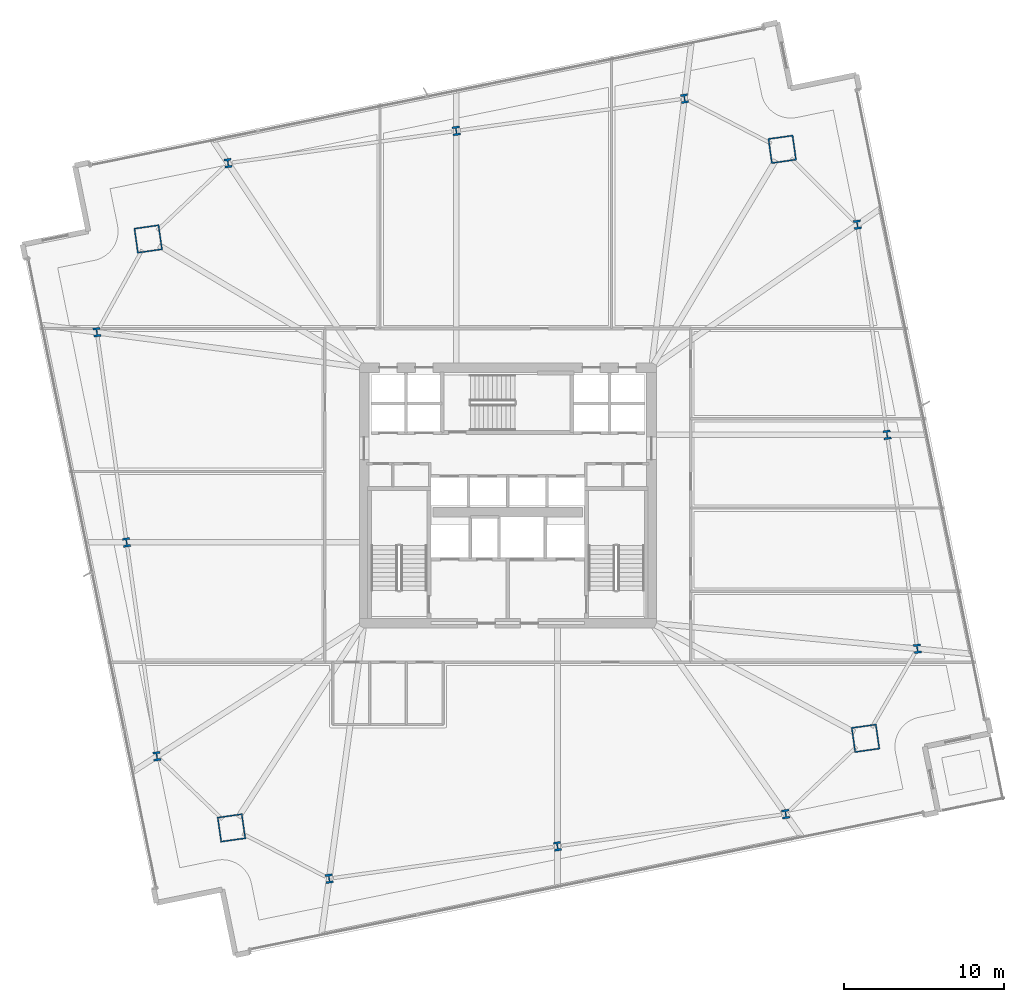
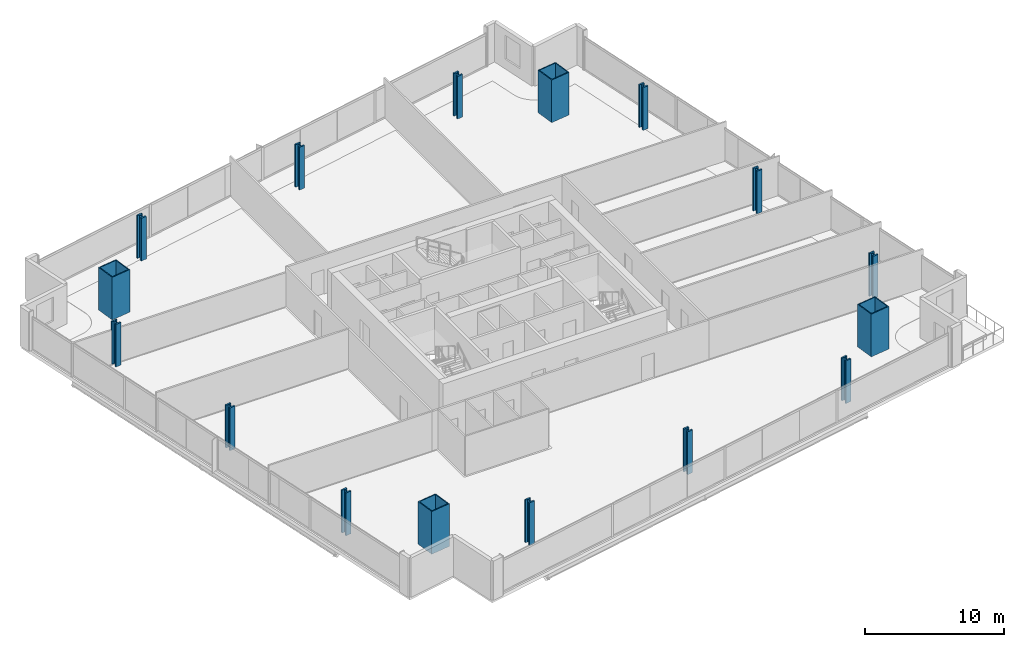
# One storey, part 1 of 33: 16 columns.
"""IFC4 building model written with IfcOpenShell, lengths in metres."""

from ifc_helpers import new_model, si_unit, direction, frame, origin, origin_2d, place, context, subcontext, project, spatial, hollow_rectangle, i_section, extrude, material, material_profile, profile_set, type_object, element, save


model = new_model("IFC4")

# Units and contexts
model_context = context("Model", 3, precision=1e-05, world=origin(), true_north=direction((0.0, 1.0)))
body_context = subcontext(model_context, "Body", "Model", "MODEL_VIEW")
ifc_project = project(units=[si_unit("LENGTHUNIT", "METRE"), si_unit("AREAUNIT", "SQUARE_METRE"), si_unit("VOLUMEUNIT", "CUBIC_METRE"), si_unit("PLANEANGLEUNIT", "RADIAN"), si_unit("MASSUNIT", "GRAM", prefix="KILO")], contexts=[model_context])

# Site, building, storey
site_placement = place(None, origin())
site = spatial("IfcSite", under=ifc_project, at=site_placement, CompositionType="ELEMENT")
building_placement = place(site_placement, origin())
building = spatial("IfcBuilding", under=site, at=building_placement, Name="Haldenkirk Collegiate Tower", CompositionType="ELEMENT")
storey_placement = place(building_placement, frame((0.0, 0.0, 66.449951171875)))
storey = spatial("IfcBuildingStorey", under=building, at=storey_placement, Name="L15", CompositionType="ELEMENT", Elevation=66.449951171875)

# Columns
ifc_material_1 = material(Name="Steel ASTM A913 Grade 65", Category="steel")
ifc_material_profile_1 = material_profile(ifc_material_1, i_section(OverallWidth=0.4541015625, OverallDepth=0.569091796875, WebThickness=0.077880859375, FlangeThickness=0.124755859375, at=origin_2d()), Name="W14X730")
ifc_profile_set_1 = profile_set([ifc_material_profile_1], Name="Steel ASTM A913 Grade 65")
column_type_1 = type_object("IfcColumnType", Name="COL-INT-W14X730", PredefinedType="COLUMN", material=ifc_profile_set_1)
for number, where, z_axis, x_axis, name in (
    (1, (24.815185546875, 1.997314453125, 0.0), (0.0, 0.0, 1.0), (0.990146240249, 0.140037219771, 0.0), "L15 perimeter gravity column PC-S1"),
    (2, (39.10888671875, 4.018798828125, 0.0), (0.0, 0.0, 1.0), (0.990146240249, 0.140037219771, 0.0), "L15 perimeter gravity column PC-S2"),
    (3, (53.402587890625, 6.040283203125, 0.0), (0.0, 0.0, 1.0), (0.990146240249, 0.140037219771, 0.0), "L15 perimeter gravity column PC-S3"),
    (4, (61.648193359375, 16.39306640625, 0.0), (0.0, 0.0, 1.0), (0.990146240249, 0.140037219771, 0.0), "L15 perimeter gravity column PC-E1"),
    (5, (59.75341796875, 29.788818359375, 0.0), (0.0, 0.0, 1.0), (0.990146240249, 0.140037219771, 0.0), "L15 perimeter gravity column PC-E2"),
    (6, (57.892333984375, 42.94873046875, 0.0), (0.0, 0.0, 1.0), (0.990146240249, 0.140037219771, 0.0), "L15 perimeter gravity column PC-E3"),
    (7, (47.06591796875, 50.844482421875, 0.0), (0.0, 0.0, 1.0), (0.990146240249, 0.140037219771, 0.0), "L15 perimeter gravity column PC-N1"),
    (8, (32.772216796875, 48.822998046875, 0.0), (0.0, 0.0, 1.0), (0.990146240249, 0.140037219771, 0.0), "L15 perimeter gravity column PC-N2"),
    (9, (18.478515625, 46.80126953125, 0.0), (0.0, 0.0, 1.0), (0.990146240249, 0.140037219771, 0.0), "L15 perimeter gravity column PC-N3"),
    (10, (10.26611328125, 36.212890625, 0.0), (0.0, 0.0, 1.0), (0.990146240249, 0.140037219771, 0.0), "L15 perimeter gravity column PC-W1"),
    (11, (12.12744140625, 23.052978515625, 0.0), (0.0, 0.0, 1.0), (0.990146240249, 0.140037219771, 0.0), "L15 perimeter gravity column PC-W2"),
    (12, (14.02197265625, 9.6572265625, 0.0), (0.0, 0.0, 1.0), (0.990146240249, 0.140037219771, 0.0), "L15 perimeter gravity column PC-W3"),
):
    element("IfcColumn", number, at=place(storey_placement, frame(where, z_axis=z_axis, x_axis=x_axis)), inside=storey, type_object=column_type_1, Name=name, PredefinedType="COLUMN", context=body_context, shape_type="SweptSolid", body=[
        extrude(i_section(OverallWidth=0.4541015625, OverallDepth=0.569091796875, WebThickness=0.077880859375, FlangeThickness=0.124755859375, at=origin_2d()), origin(), (0.0, 0.0, 1.0), 3.75),
    ])
ifc_material_2 = material(Name="Steel ASTM A572 Grade 50", Category="steel")
ifc_material_profile_2 = material_profile(ifc_material_2, hollow_rectangle(XDim=1.60009765625, YDim=1.60009765625, WallThickness=0.080078125, at=origin_2d()), Name="BOX1600X1600X80")
ifc_profile_set_2 = profile_set([ifc_material_profile_2], Name="Steel ASTM A572 Grade 50")
column_type_2 = type_object("IfcColumnType", Name="COL-MEGA-BOX1600X1600X80", PredefinedType="COLUMN", material=ifc_profile_set_2)
for number, where, z_axis, x_axis, name in (
    (13, (18.6962890625, 5.171630859375, 0.0), (0.0, 0.0, 1.0), (0.990146240249, 0.140037219771, 0.0), "L15 corner mega-column MC1"),
    (14, (58.401123046875, 10.787109375, 0.0), (0.0, 0.0, 1.0), (0.990146240249, 0.140037219771, 0.0), "L15 corner mega-column MC2"),
    (15, (53.184814453125, 47.669921875, 0.0), (0.0, 0.0, 1.0), (0.990146240249, 0.140037219771, 0.0), "L15 corner mega-column MC3"),
    (16, (13.47998046875, 42.054443359375, 0.0), (0.0, 0.0, 1.0), (0.990146240249, 0.140037219771, 0.0), "L15 corner mega-column MC4"),
):
    element("IfcColumn", number, at=place(storey_placement, frame(where, z_axis=z_axis, x_axis=x_axis)), inside=storey, type_object=column_type_2, Name=name, PredefinedType="COLUMN", context=body_context, shape_type="SweptSolid", body=[
        extrude(hollow_rectangle(XDim=1.60009765625, YDim=1.60009765625, WallThickness=0.080078125, at=origin_2d()), origin(), (0.0, 0.0, 1.0), 3.75),
    ])

save(model, "model.ifc")
